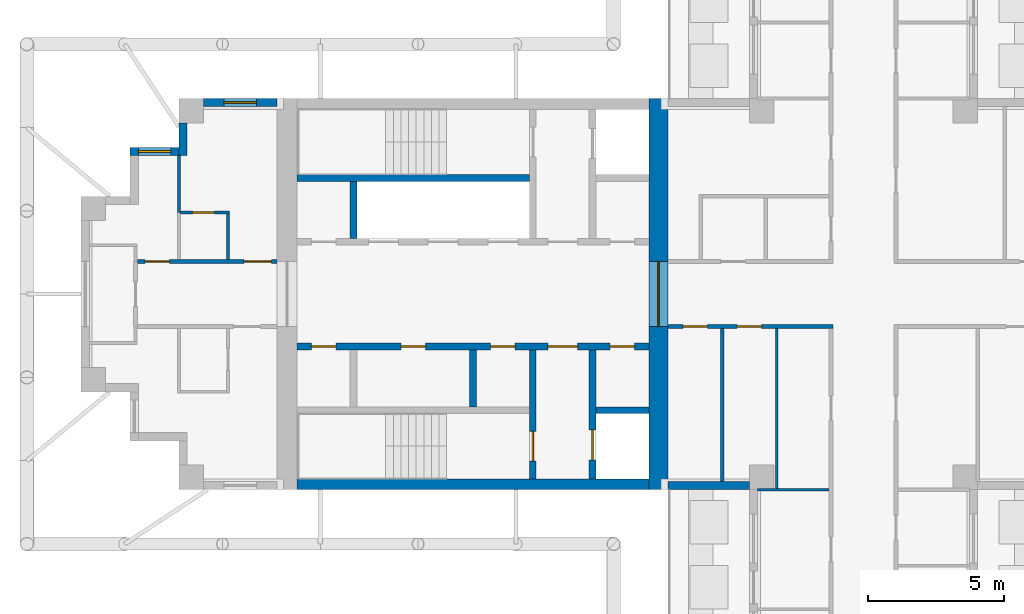
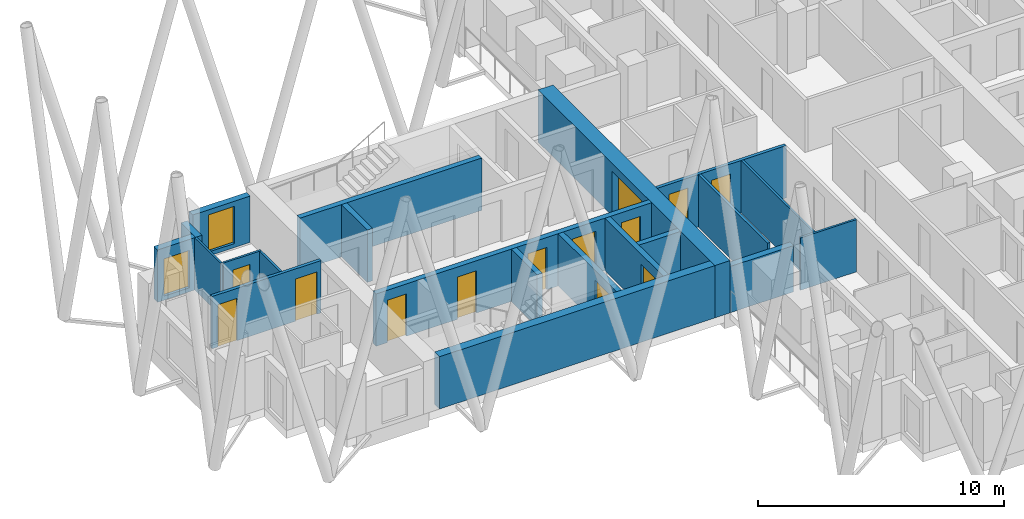
# One storey, part 4 of 11: 21 walls, 13 doors, 2 windows, 15 openings.
"""IFC4 building model written with IfcOpenShell, lengths in metres."""

from ifc_helpers import new_model, si_unit, direction, frame, frame_2d, origin, place, context, subcontext, project, spatial, rectangle, extrude, material, layer, layer_set, type_object, element, fill, save


model = new_model("IFC4")

# Units and contexts
model_context = context("Model", 3, precision=1e-05, world=origin(), true_north=direction((0.0, 1.0)))
body_context = subcontext(model_context, "Body", "Model", "MODEL_VIEW")
ifc_project = project(units=[si_unit("LENGTHUNIT", "METRE"), si_unit("AREAUNIT", "SQUARE_METRE"), si_unit("VOLUMEUNIT", "CUBIC_METRE"), si_unit("PLANEANGLEUNIT", "RADIAN"), si_unit("MASSUNIT", "GRAM", prefix="KILO")], contexts=[model_context])

# Site, building, storey
site_placement = place(None, origin())
site = spatial("IfcSite", under=ifc_project, at=site_placement, CompositionType="ELEMENT")
building_placement = place(site_placement, origin())
building = spatial("IfcBuilding", under=site, at=building_placement, Name="Fustian Cross Tower", CompositionType="ELEMENT")
storey_placement = place(building_placement, frame((0.0, 0.0, 234.89990234375)))
storey = spatial("IfcBuildingStorey", under=building, at=storey_placement, Name="L74", CompositionType="ELEMENT", Elevation=234.89990234375)

# Wall, openings, doors
ifc_material_1 = material(Name="Plasterboard on steel stud", Category="steel")
ifc_layer_1 = layer(ifc_material_1, 0.14990234375)
ifc_layer_set_1 = layer_set([ifc_layer_1], Name="Plasterboard on steel stud")
wall_type_1 = type_object("IfcWallType", Name="COMPARTMENT WALL 150 EI 60", PredefinedType="PARTITIONING", material=ifc_layer_set_1)
wall_1_placement = place(storey_placement, frame((-26.72509765625, 1.199951171875, 0.0), z_axis=(0.0, 0.0, 1.0), x_axis=(1.0, 0.0, 0.0)))
wall_1 = element("IfcWall", 1, at=wall_1_placement, inside=storey, type_object=wall_type_1, Name="Partition 7", PredefinedType="PARTITIONING", context=body_context, shape_type="SweptSolid", body=[
    extrude(rectangle(XDim=5.125, YDim=0.14990234375, at=frame_2d((2.5625, 0.0))), origin(), (0.0, 0.0, 1.0), 2.60009765625),
])
opening_1_placement = place(wall_1_placement, frame((3.925048828125, 0.0, 0.0)))
opening_1 = element("IfcOpeningElement", 2, at=opening_1_placement, cuts=wall_1, Name="Opening D33030", PredefinedType="OPENING", context=body_context, shape_type="SweptSolid", body=[
    extrude(rectangle(XDim=1.0, YDim=2.10009765625, at=frame_2d((0.5, 1.050048828125))), frame((0.0, 0.0849609375, 0.0), z_axis=(0.0, -1.0, 0.0), x_axis=(1.0, 0.0, 0.0)), (0.0, 0.0, 1.0), 0.169921875),
])
opening_2_placement = place(wall_1_placement, frame((0.27490234375, 0.0, 0.0)))
opening_2 = element("IfcOpeningElement", 3, at=opening_2_placement, cuts=wall_1, Name="Opening D33031", PredefinedType="OPENING", context=body_context, shape_type="SweptSolid", body=[
    extrude(rectangle(XDim=0.89990234375, YDim=2.10009765625, at=frame_2d((0.449951171875, 1.050048828125))), frame((0.0, 0.0849609375, 0.0), z_axis=(0.0, -1.0, 0.0), x_axis=(1.0, 0.0, 0.0)), (0.0, 0.0, 1.0), 0.169921875),
])
ifc_material_2 = material(Name="Timber fire door set", Category="wood")
door_type_1 = type_object("IfcDoorType", Name="FIRE SWING DOOR 1000 FD30S", OperationType="SINGLE_SWING_LEFT", PredefinedType="DOOR", material=ifc_material_2)
door_1_placement = place(opening_1_placement, origin())
door_1 = element("IfcDoor", 4, at=door_1_placement, inside=storey, type_object=door_type_1, Name="Door D33030", OperationType="SINGLE_SWING_RIGHT", OverallHeight=2.10009765625, OverallWidth=1.0, PredefinedType="DOOR", context=body_context, shape_type="SweptSolid", body=[
    extrude(rectangle(XDim=1.0, YDim=2.10009765625, at=frame_2d((0.5, 1.050048828125))), frame((0.0, 0.02490234375, 0.0), z_axis=(0.0, -1.0, 0.0), x_axis=(1.0, 0.0, 0.0)), (0.0, 0.0, 1.0), 0.050048828125),
])
fill(opening_1, door_1)
ifc_material_3 = material(Name="Timber fire door set", Category="wood")
door_type_2 = type_object("IfcDoorType", Name="FIRE SWING DOOR 900 FD30S", OperationType="SINGLE_SWING_LEFT", PredefinedType="DOOR", material=ifc_material_3)
door_2_placement = place(opening_2_placement, origin())
door_2 = element("IfcDoor", 5, at=door_2_placement, inside=storey, type_object=door_type_2, Name="Door D33031", OperationType="SINGLE_SWING_LEFT", OverallHeight=2.10009765625, OverallWidth=0.89990234375, PredefinedType="DOOR", context=body_context, shape_type="SweptSolid", body=[
    extrude(rectangle(XDim=0.89990234375, YDim=2.10009765625, at=frame_2d((0.449951171875, 1.050048828125))), frame((0.0, 0.02490234375, 0.0), z_axis=(0.0, -1.0, 0.0), x_axis=(1.0, 0.0, 0.0)), (0.0, 0.0, 1.0), 0.050048828125),
])
fill(opening_2, door_2)

wall_2_placement = place(storey_placement, frame((-7.199951171875, -1.199951171875, 0.0), z_axis=(0.0, 0.0, 1.0), x_axis=(1.0, 0.0, 0.0)))
wall_2 = element("IfcWall", 6, at=wall_2_placement, inside=storey, type_object=wall_type_1, Name="Partition 15", PredefinedType="PARTITIONING", context=body_context, shape_type="SweptSolid", body=[
    extrude(rectangle(XDim=6.074951171875, YDim=0.14990234375, at=frame_2d((3.03759765625, 0.0))), origin(), (0.0, 0.0, 1.0), 2.60009765625),
])
opening_3_placement = place(wall_2_placement, frame((2.550048828125, 0.0, 0.0)))
opening_3 = element("IfcOpeningElement", 7, at=opening_3_placement, cuts=wall_2, Name="Opening D33009", PredefinedType="OPENING", context=body_context, shape_type="SweptSolid", body=[
    extrude(rectangle(XDim=0.89990234375, YDim=2.10009765625, at=frame_2d((0.449951171875, 1.050048828125))), frame((0.0, 0.0849609375, 0.0), z_axis=(0.0, -1.0, 0.0), x_axis=(1.0, 0.0, 0.0)), (0.0, 0.0, 1.0), 0.169921875),
])
opening_4_placement = place(wall_2_placement, frame((0.550048828125, 0.0, 0.0)))
opening_4 = element("IfcOpeningElement", 8, at=opening_4_placement, cuts=wall_2, Name="Opening D33010", PredefinedType="OPENING", context=body_context, shape_type="SweptSolid", body=[
    extrude(rectangle(XDim=0.89990234375, YDim=2.10009765625, at=frame_2d((0.449951171875, 1.050048828125))), frame((0.0, 0.0849609375, 0.0), z_axis=(0.0, -1.0, 0.0), x_axis=(1.0, 0.0, 0.0)), (0.0, 0.0, 1.0), 0.169921875),
])
door_3_placement = place(opening_3_placement, frame((0.89990234375, 0.0, 0.0), z_axis=(0.0, 0.0, 1.0), x_axis=(-1.0, 0.0, 0.0)))
door_3 = element("IfcDoor", 9, at=door_3_placement, inside=storey, type_object=door_type_2, Name="Door D33009", OperationType="SINGLE_SWING_RIGHT", OverallHeight=2.10009765625, OverallWidth=0.89990234375, PredefinedType="DOOR", context=body_context, shape_type="SweptSolid", body=[
    extrude(rectangle(XDim=0.89990234375, YDim=2.10009765625, at=frame_2d((0.449951171875, 1.050048828125))), frame((0.0, 0.02490234375, 0.0), z_axis=(0.0, -1.0, 0.0), x_axis=(1.0, 0.0, 0.0)), (0.0, 0.0, 1.0), 0.050048828125),
])
fill(opening_3, door_3)
door_4_placement = place(opening_4_placement, frame((0.89990234375, 0.0, 0.0), z_axis=(0.0, 0.0, 1.0), x_axis=(-1.0, 0.0, 0.0)))
door_4 = element("IfcDoor", 10, at=door_4_placement, inside=storey, type_object=door_type_2, Name="Door D33010", OperationType="SINGLE_SWING_RIGHT", OverallHeight=2.10009765625, OverallWidth=0.89990234375, PredefinedType="DOOR", context=body_context, shape_type="SweptSolid", body=[
    extrude(rectangle(XDim=0.89990234375, YDim=2.10009765625, at=frame_2d((0.449951171875, 1.050048828125))), frame((0.0, 0.02490234375, 0.0), z_axis=(0.0, -1.0, 0.0), x_axis=(1.0, 0.0, 0.0)), (0.0, 0.0, 1.0), 0.050048828125),
])
fill(opening_4, door_4)

# Wall, opening, door
ifc_material_4 = material(Name="Concrete C50/60", Category="concrete")
ifc_layer_2 = layer(ifc_material_4, 0.699951171875)
ifc_layer_set_2 = layer_set([ifc_layer_2], Name="Concrete C50/60")
wall_type_2 = type_object("IfcWallType", Name="CORE END WALL 700 C50/60", PredefinedType="SHEAR", material=ifc_layer_set_2)
wall_3_placement = place(storey_placement, frame((-7.550048828125, -7.199951171875, 0.0), z_axis=(0.0, 0.0, 1.0), x_axis=(0.0, 1.0, 0.0)))
wall_3 = element("IfcWall", 11, at=wall_3_placement, inside=storey, type_object=wall_type_2, Name="Core end wall", PredefinedType="SHEAR", context=body_context, shape_type="SweptSolid", body=[
    extrude(rectangle(XDim=14.39990234375, YDim=0.699951171875, at=frame_2d((7.199951171875, 0.0))), origin(), (0.0, 0.0, 1.0), 2.60009765625),
])
opening_5_placement = place(wall_3_placement, frame((6.0, 0.0, 0.0)))
opening_5 = element("IfcOpeningElement", 12, at=opening_5_placement, cuts=wall_3, Name="Opening CD-28-29", PredefinedType="OPENING", context=body_context, shape_type="SweptSolid", body=[
    extrude(rectangle(XDim=2.39990234375, YDim=2.199951171875, at=frame_2d((1.199951171875, 1.10009765625))), frame((0.0, 0.35986328125, 0.0), z_axis=(0.0, -1.0, 0.0), x_axis=(1.0, 0.0, 0.0)), (0.0, 0.0, 1.0), 0.719970703125),
])
ifc_material_5 = material(Name="Steel", Category="steel")
door_type_3 = type_object("IfcDoorType", Name="FIRE DOOR FD30S DOUBLE 2400X2200", OperationType="DOUBLE_DOOR_DOUBLE_SWING", PredefinedType="DOOR", material=ifc_material_5)
door_5_placement = place(opening_5_placement, origin())
door_5 = element("IfcDoor", 13, at=door_5_placement, inside=storey, type_object=door_type_3, Name="Core door CD-28-29", OperationType="DOUBLE_DOOR_DOUBLE_SWING", OverallHeight=2.199951171875, OverallWidth=2.39990234375, PredefinedType="DOOR", context=body_context, shape_type="SweptSolid", body=[
    extrude(rectangle(XDim=2.39990234375, YDim=2.199951171875, at=frame_2d((1.199951171875, 1.10009765625))), frame((0.0, 0.02490234375, 0.0), z_axis=(0.0, -1.0, 0.0), x_axis=(1.0, 0.0, 0.0)), (0.0, 0.0, 1.0), 0.050048828125),
])
fill(opening_5, door_5)

# Wall
ifc_material_6 = material(Name="Concrete C50/60", Category="concrete")
ifc_layer_3 = layer(ifc_material_6, 0.39990234375)
ifc_layer_set_3 = layer_set([ifc_layer_3], Name="Concrete C50/60")
wall_type_3 = type_object("IfcWallType", Name="CORE FACADE WALL 400 C50/60", PredefinedType="SHEAR", material=ifc_layer_set_3)
wall_4_placement = place(storey_placement, frame((-7.89990234375, -7.0, 0.0), z_axis=(0.0, 0.0, 1.0), x_axis=(-1.0, 0.0, 0.0)))
element("IfcWall", 14, at=wall_4_placement, inside=storey, type_object=wall_type_3, Name="Core facade wall", PredefinedType="SHEAR", context=body_context, shape_type="SweptSolid", body=[
    extrude(rectangle(XDim=12.9501953125, YDim=0.39990234375, at=frame_2d((6.47509765625, 0.0))), origin(), (0.0, 0.0, 1.0), 2.60009765625),
])

# Wall, openings, doors
ifc_material_7 = material(Name="Concrete C50/60", Category="concrete")
ifc_layer_4 = layer(ifc_material_7, 0.25)
ifc_layer_set_4 = layer_set([ifc_layer_4], Name="Concrete C50/60")
wall_type_4 = type_object("IfcWallType", Name="CORE LOBBY WALL 250 C50/60", PredefinedType="SHEAR", material=ifc_layer_set_4)
wall_5_placement = place(storey_placement, frame((-7.89990234375, -1.925048828125, 0.0), z_axis=(0.0, 0.0, 1.0), x_axis=(-1.0, 0.0, 0.0)))
wall_5 = element("IfcWall", 15, at=wall_5_placement, inside=storey, type_object=wall_type_4, Name="Core lobby wall", PredefinedType="SHEAR", context=body_context, shape_type="SweptSolid", body=[
    extrude(rectangle(XDim=12.9501953125, YDim=0.25, at=frame_2d((6.47509765625, 0.0))), origin(), (0.0, 0.0, 1.0), 2.60009765625),
])
opening_6_placement = place(wall_5_placement, frame((0.52490234375, 0.0, 0.0)))
opening_6 = element("IfcOpeningElement", 16, at=opening_6_placement, cuts=wall_5, Name="Opening CD-28-26", PredefinedType="OPENING", context=body_context, shape_type="SweptSolid", body=[
    extrude(rectangle(XDim=0.89990234375, YDim=2.10009765625, at=frame_2d((0.449951171875, 1.050048828125))), frame((0.0, 0.135009765625, 0.0), z_axis=(0.0, -1.0, 0.0), x_axis=(1.0, 0.0, 0.0)), (0.0, 0.0, 1.0), 0.27001953125),
])
opening_7_placement = place(wall_5_placement, frame((2.625, 0.0, 0.0)))
opening_7 = element("IfcOpeningElement", 17, at=opening_7_placement, cuts=wall_5, Name="Opening CD-28-28", PredefinedType="OPENING", context=body_context, shape_type="SweptSolid", body=[
    extrude(rectangle(XDim=1.10009765625, YDim=2.10009765625, at=frame_2d((0.550048828125, 1.050048828125))), frame((0.0, 0.135009765625, 0.0), z_axis=(0.0, -1.0, 0.0), x_axis=(1.0, 0.0, 0.0)), (0.0, 0.0, 1.0), 0.27001953125),
])
opening_8_placement = place(wall_5_placement, frame((4.925048828125, 0.0, 0.0)))
opening_8 = element("IfcOpeningElement", 18, at=opening_8_placement, cuts=wall_5, Name="Opening CD-28-32", PredefinedType="OPENING", context=body_context, shape_type="SweptSolid", body=[
    extrude(rectangle(XDim=0.89990234375, YDim=2.10009765625, at=frame_2d((0.449951171875, 1.050048828125))), frame((0.0, 0.135009765625, 0.0), z_axis=(0.0, -1.0, 0.0), x_axis=(1.0, 0.0, 0.0)), (0.0, 0.0, 1.0), 0.27001953125),
])
opening_9_placement = place(wall_5_placement, frame((8.22509765625, 0.0, 0.0)))
opening_9 = element("IfcOpeningElement", 19, at=opening_9_placement, cuts=wall_5, Name="Opening CD-28-33", PredefinedType="OPENING", context=body_context, shape_type="SweptSolid", body=[
    extrude(rectangle(XDim=0.89990234375, YDim=2.10009765625, at=frame_2d((0.449951171875, 1.050048828125))), frame((0.0, 0.135009765625, 0.0), z_axis=(0.0, -1.0, 0.0), x_axis=(1.0, 0.0, 0.0)), (0.0, 0.0, 1.0), 0.27001953125),
])
opening_10_placement = place(wall_5_placement, frame((11.52490234375, 0.0, 0.0)))
opening_10 = element("IfcOpeningElement", 20, at=opening_10_placement, cuts=wall_5, Name="Opening CD-28-34", PredefinedType="OPENING", context=body_context, shape_type="SweptSolid", body=[
    extrude(rectangle(XDim=0.89990234375, YDim=2.10009765625, at=frame_2d((0.449951171875, 1.050048828125))), frame((0.0, 0.135009765625, 0.0), z_axis=(0.0, -1.0, 0.0), x_axis=(1.0, 0.0, 0.0)), (0.0, 0.0, 1.0), 0.27001953125),
])
ifc_material_8 = material(Name="Steel", Category="steel")
door_type_4 = type_object("IfcDoorType", Name="FIRE DOOR FD30S 1100X2100", OperationType="SINGLE_SWING_LEFT", PredefinedType="DOOR", material=ifc_material_8)
door_6_placement = place(opening_7_placement, frame((1.10009765625, 0.0, 0.0), z_axis=(0.0, 0.0, 1.0), x_axis=(-1.0, 0.0, 0.0)))
door_6 = element("IfcDoor", 21, at=door_6_placement, inside=storey, type_object=door_type_4, Name="Core door CD-28-28", OperationType="SINGLE_SWING_RIGHT", OverallHeight=2.10009765625, OverallWidth=1.10009765625, PredefinedType="DOOR", context=body_context, shape_type="SweptSolid", body=[
    extrude(rectangle(XDim=1.10009765625, YDim=2.10009765625, at=frame_2d((0.550048828125, 1.050048828125))), frame((0.0, 0.02490234375, 0.0), z_axis=(0.0, -1.0, 0.0), x_axis=(1.0, 0.0, 0.0)), (0.0, 0.0, 1.0), 0.050048828125),
])
fill(opening_7, door_6)
ifc_material_9 = material(Name="Steel", Category="steel")
door_type_5 = type_object("IfcDoorType", Name="FIRE DOOR FD30S 900X2100", OperationType="SINGLE_SWING_LEFT", PredefinedType="DOOR", material=ifc_material_9)
door_7_placement = place(opening_6_placement, origin())
door_7 = element("IfcDoor", 22, at=door_7_placement, inside=storey, type_object=door_type_5, Name="Core door CD-28-26", OperationType="SINGLE_SWING_LEFT", OverallHeight=2.10009765625, OverallWidth=0.89990234375, PredefinedType="DOOR", context=body_context, shape_type="SweptSolid", body=[
    extrude(rectangle(XDim=0.89990234375, YDim=2.10009765625, at=frame_2d((0.449951171875, 1.050048828125))), frame((0.0, 0.02490234375, 0.0), z_axis=(0.0, -1.0, 0.0), x_axis=(1.0, 0.0, 0.0)), (0.0, 0.0, 1.0), 0.050048828125),
])
fill(opening_6, door_7)
door_8_placement = place(opening_8_placement, origin())
door_8 = element("IfcDoor", 23, at=door_8_placement, inside=storey, type_object=door_type_5, Name="Core door CD-28-32", OperationType="SINGLE_SWING_LEFT", OverallHeight=2.10009765625, OverallWidth=0.89990234375, PredefinedType="DOOR", context=body_context, shape_type="SweptSolid", body=[
    extrude(rectangle(XDim=0.89990234375, YDim=2.10009765625, at=frame_2d((0.449951171875, 1.050048828125))), frame((0.0, 0.02490234375, 0.0), z_axis=(0.0, -1.0, 0.0), x_axis=(1.0, 0.0, 0.0)), (0.0, 0.0, 1.0), 0.050048828125),
])
fill(opening_8, door_8)
door_9_placement = place(opening_9_placement, origin())
door_9 = element("IfcDoor", 24, at=door_9_placement, inside=storey, type_object=door_type_5, Name="Core door CD-28-33", OperationType="SINGLE_SWING_RIGHT", OverallHeight=2.10009765625, OverallWidth=0.89990234375, PredefinedType="DOOR", context=body_context, shape_type="SweptSolid", body=[
    extrude(rectangle(XDim=0.89990234375, YDim=2.10009765625, at=frame_2d((0.449951171875, 1.050048828125))), frame((0.0, 0.02490234375, 0.0), z_axis=(0.0, -1.0, 0.0), x_axis=(1.0, 0.0, 0.0)), (0.0, 0.0, 1.0), 0.050048828125),
])
fill(opening_9, door_9)
door_10_placement = place(opening_10_placement, origin())
door_10 = element("IfcDoor", 25, at=door_10_placement, inside=storey, type_object=door_type_5, Name="Core door CD-28-34", OperationType="SINGLE_SWING_LEFT", OverallHeight=2.10009765625, OverallWidth=0.89990234375, PredefinedType="DOOR", context=body_context, shape_type="SweptSolid", body=[
    extrude(rectangle(XDim=0.89990234375, YDim=2.10009765625, at=frame_2d((0.449951171875, 1.050048828125))), frame((0.0, 0.02490234375, 0.0), z_axis=(0.0, -1.0, 0.0), x_axis=(1.0, 0.0, 0.0)), (0.0, 0.0, 1.0), 0.050048828125),
])
fill(opening_10, door_10)

# Walls
ifc_material_10 = material(Name="Concrete C50/60", Category="concrete")
ifc_layer_5 = layer(ifc_material_10, 0.25)
ifc_layer_set_5 = layer_set([ifc_layer_5], Name="Concrete C50/60")
wall_type_5 = type_object("IfcWallType", Name="CORE SHAFT WALL 250 C50/60", PredefinedType="SHEAR", material=ifc_layer_set_5)
wall_6_placement = place(storey_placement, frame((-12.300048828125, 4.27490234375, 0.0), z_axis=(0.0, 0.0, 1.0), x_axis=(-1.0, 0.0, 0.0)))
element("IfcWall", 26, at=wall_6_placement, inside=storey, type_object=wall_type_5, Name="Core shaft wall", PredefinedType="SHEAR", context=body_context, shape_type="SweptSolid", body=[
    extrude(rectangle(XDim=8.550048828125, YDim=0.25, at=frame_2d((4.27490234375, 0.0))), origin(), (0.0, 0.0, 1.0), 2.60009765625),
])
wall_7_placement = place(storey_placement, frame((-7.89990234375, -4.27490234375, 0.0), z_axis=(0.0, 0.0, 1.0), x_axis=(-1.0, 0.0, 0.0)))
element("IfcWall", 27, at=wall_7_placement, inside=storey, type_object=wall_type_5, Name="Core shaft wall", PredefinedType="SHEAR", context=body_context, shape_type="SweptSolid", body=[
    extrude(rectangle(XDim=1.9501953125, YDim=0.25, at=frame_2d((0.97509765625, 0.0))), origin(), (0.0, 0.0, 1.0), 2.60009765625),
])

# Wall, opening, door
wall_8_placement = place(storey_placement, frame((-9.97509765625, -2.050048828125, 0.0), z_axis=(0.0, 0.0, 1.0), x_axis=(0.0, -1.0, 0.0)))
wall_8 = element("IfcWall", 28, at=wall_8_placement, inside=storey, type_object=wall_type_5, Name="Core shaft wall", PredefinedType="SHEAR", context=body_context, shape_type="SweptSolid", body=[
    extrude(rectangle(XDim=4.75, YDim=0.25, at=frame_2d((2.375, 0.0))), origin(), (0.0, 0.0, 1.0), 2.60009765625),
])
opening_11_placement = place(wall_8_placement, frame((2.949951171875, 0.0, 0.0)))
opening_11 = element("IfcOpeningElement", 29, at=opening_11_placement, cuts=wall_8, Name="Opening LD", PredefinedType="OPENING", context=body_context, shape_type="SweptSolid", body=[
    extrude(rectangle(XDim=1.10009765625, YDim=2.10009765625, at=frame_2d((0.550048828125, 1.050048828125))), frame((0.0, 0.135009765625, 0.0), z_axis=(0.0, -1.0, 0.0), x_axis=(1.0, 0.0, 0.0)), (0.0, 0.0, 1.0), 0.27001953125),
])
ifc_material_11 = material(Name="Stainless steel", Category="steel")
door_type_6 = type_object("IfcDoorType", Name="LIFT LANDING DOOR 1100X2100", OperationType="SLIDING_TO_LEFT", PredefinedType="DOOR", material=ifc_material_11)
door_11_placement = place(opening_11_placement, origin())
door_11 = element("IfcDoor", 30, at=door_11_placement, inside=storey, type_object=door_type_6, Name="Landing door SV1W", OperationType="SLIDING_TO_LEFT", OverallHeight=2.10009765625, OverallWidth=1.10009765625, PredefinedType="DOOR", context=body_context, shape_type="SweptSolid", body=[
    extrude(rectangle(XDim=1.10009765625, YDim=2.10009765625, at=frame_2d((0.550048828125, 1.050048828125))), frame((0.0, 0.02490234375, 0.0), z_axis=(0.0, -1.0, 0.0), x_axis=(1.0, 0.0, 0.0)), (0.0, 0.0, 1.0), 0.050048828125),
])
fill(opening_11, door_11)

wall_9_placement = place(storey_placement, frame((-12.175048828125, -2.050048828125, 0.0), z_axis=(0.0, 0.0, 1.0), x_axis=(0.0, -1.0, 0.0)))
wall_9 = element("IfcWall", 31, at=wall_9_placement, inside=storey, type_object=wall_type_5, Name="Core shaft wall", PredefinedType="SHEAR", context=body_context, shape_type="SweptSolid", body=[
    extrude(rectangle(XDim=4.75, YDim=0.25, at=frame_2d((2.375, 0.0))), origin(), (0.0, 0.0, 1.0), 2.60009765625),
])
opening_12_placement = place(wall_9_placement, frame((3.0, 0.0, 0.0)))
opening_12 = element("IfcOpeningElement", 32, at=opening_12_placement, cuts=wall_9, Name="Opening CD-28-24", PredefinedType="OPENING", context=body_context, shape_type="SweptSolid", body=[
    extrude(rectangle(XDim=1.10009765625, YDim=2.10009765625, at=frame_2d((0.550048828125, 1.050048828125))), frame((0.0, 0.135009765625, 0.0), z_axis=(0.0, -1.0, 0.0), x_axis=(1.0, 0.0, 0.0)), (0.0, 0.0, 1.0), 0.27001953125),
])
ifc_material_12 = material(Name="Steel", Category="steel")
door_type_7 = type_object("IfcDoorType", Name="FIRE DOOR FD60S 1100X2100", OperationType="SINGLE_SWING_LEFT", PredefinedType="DOOR", material=ifc_material_12)
door_12_placement = place(opening_12_placement, frame((1.10009765625, 0.0, 0.0), z_axis=(0.0, 0.0, 1.0), x_axis=(-1.0, 0.0, 0.0)))
door_12 = element("IfcDoor", 33, at=door_12_placement, inside=storey, type_object=door_type_7, Name="Core door CD-28-24", OperationType="SINGLE_SWING_RIGHT", OverallHeight=2.10009765625, OverallWidth=1.10009765625, PredefinedType="DOOR", context=body_context, shape_type="SweptSolid", body=[
    extrude(rectangle(XDim=1.10009765625, YDim=2.10009765625, at=frame_2d((0.550048828125, 1.050048828125))), frame((0.0, 0.02490234375, 0.0), z_axis=(0.0, -1.0, 0.0), x_axis=(1.0, 0.0, 0.0)), (0.0, 0.0, 1.0), 0.050048828125),
])
fill(opening_12, door_12)

# Wall
ifc_material_13 = material(Name="Plasterboard on steel stud", Category="steel")
ifc_layer_6 = layer(ifc_material_13, 0.10009765625)
ifc_layer_set_6 = layer_set([ifc_layer_6], Name="Plasterboard on steel stud")
wall_type_6 = type_object("IfcWallType", Name="PARTITION 100 STUD", PredefinedType="PARTITIONING", material=ifc_layer_set_6)
wall_10_placement = place(storey_placement, frame((-25.199951171875, 3.0, 0.0), z_axis=(0.0, 0.0, 1.0), x_axis=(0.0, 1.0, 0.0)))
element("IfcWall", 34, at=wall_10_placement, inside=storey, type_object=wall_type_6, Name="Partition 11", PredefinedType="PARTITIONING", context=body_context, shape_type="SweptSolid", body=[
    extrude(rectangle(XDim=2.10009765625, YDim=0.10009765625, at=frame_2d((1.050048828125, 0.0))), origin(), (0.0, 0.0, 1.0), 2.60009765625),
])

# Wall, opening, door
wall_11_placement = place(storey_placement, frame((-25.137451171875, 3.0, 0.0), z_axis=(0.0, 0.0, 1.0), x_axis=(1.0, 0.0, 0.0)))
wall_11 = element("IfcWall", 35, at=wall_11_placement, inside=storey, type_object=wall_type_6, Name="Partition 12", PredefinedType="PARTITIONING", context=body_context, shape_type="SweptSolid", body=[
    extrude(rectangle(XDim=1.787353515625, YDim=0.10009765625, at=frame_2d((0.8935546875, 0.0))), origin(), (0.0, 0.0, 1.0), 2.60009765625),
])
opening_13_placement = place(wall_11_placement, frame((0.4375, 0.0, 0.0)))
opening_13 = element("IfcOpeningElement", 36, at=opening_13_placement, cuts=wall_11, Name="Opening D33029", PredefinedType="OPENING", context=body_context, shape_type="SweptSolid", body=[
    extrude(rectangle(XDim=0.800048828125, YDim=2.10009765625, at=frame_2d((0.39990234375, 1.050048828125))), frame((0.0, 0.06005859375, 0.0), z_axis=(0.0, -1.0, 0.0), x_axis=(1.0, 0.0, 0.0)), (0.0, 0.0, 1.0), 0.1201171875),
])
ifc_material_14 = material(Name="Painted timber", Category="wood")
door_type_8 = type_object("IfcDoorType", Name="SWING DOOR 800", OperationType="SINGLE_SWING_LEFT", PredefinedType="DOOR", material=ifc_material_14)
door_13_placement = place(opening_13_placement, frame((0.800048828125, 0.0, 0.0), z_axis=(0.0, 0.0, 1.0), x_axis=(-1.0, 0.0, 0.0)))
door_13 = element("IfcDoor", 37, at=door_13_placement, inside=storey, type_object=door_type_8, Name="Door D33029", OperationType="SINGLE_SWING_LEFT", OverallHeight=2.10009765625, OverallWidth=0.800048828125, PredefinedType="DOOR", context=body_context, shape_type="SweptSolid", body=[
    extrude(rectangle(XDim=0.800048828125, YDim=2.10009765625, at=frame_2d((0.39990234375, 1.050048828125))), frame((0.0, 0.02490234375, 0.0), z_axis=(0.0, -1.0, 0.0), x_axis=(1.0, 0.0, 0.0)), (0.0, 0.0, 1.0), 0.050048828125),
])
fill(opening_13, door_13)

# Walls
wall_12_placement = place(storey_placement, frame((-23.39990234375, 1.27490234375, 0.0), z_axis=(0.0, 0.0, 1.0), x_axis=(0.0, 1.0, 0.0)))
element("IfcWall", 38, at=wall_12_placement, inside=storey, type_object=wall_type_6, Name="Partition 14", PredefinedType="PARTITIONING", context=body_context, shape_type="SweptSolid", body=[
    extrude(rectangle(XDim=1.675048828125, YDim=0.10009765625, at=frame_2d((0.83740234375, 0.0))), origin(), (0.0, 0.0, 1.0), 2.60009765625),
])
wall_13_placement = place(storey_placement, frame((-3.89990234375, -7.199951171875, 0.0), z_axis=(0.0, 0.0, 1.0), x_axis=(1.0, 0.0, 0.0)))
element("IfcWall", 39, at=wall_13_placement, inside=storey, type_object=wall_type_6, Name="Partition 22", PredefinedType="PARTITIONING", context=body_context, shape_type="SweptSolid", body=[
    extrude(rectangle(XDim=2.625, YDim=0.10009765625, at=frame_2d((1.3125, 0.0))), origin(), (0.0, 0.0, 1.0), 2.60009765625),
])
wall_14_placement = place(storey_placement, frame((-3.199951171875, -7.14990234375, 0.0), z_axis=(0.0, 0.0, 1.0), x_axis=(0.0, 1.0, 0.0)))
element("IfcWall", 40, at=wall_14_placement, inside=storey, type_object=wall_type_6, Name="Partition 33", PredefinedType="PARTITIONING", context=body_context, shape_type="SweptSolid", body=[
    extrude(rectangle(XDim=5.875, YDim=0.10009765625, at=frame_2d((2.9375, 0.0))), origin(), (0.0, 0.0, 1.0), 2.60009765625),
])
ifc_material_15 = material(Name="Concrete C40/50", Category="concrete")
ifc_layer_7 = layer(ifc_material_15, 0.25)
ifc_layer_set_7 = layer_set([ifc_layer_7], Name="Concrete C40/50")
wall_type_7 = type_object("IfcWallType", Name="SHAFT PARTITION WALL 250 C40/50", PredefinedType="PARTITIONING", material=ifc_layer_set_7)
for number, where, z_axis, x_axis, name in (
    (41, (-18.77490234375, 2.050048828125, 0.0), (0.0, 0.0, 1.0), (0.0, 1.0, 0.0), "Core shaft wall"),
    (42, (-14.375, -2.050048828125, 0.0), (0.0, 0.0, 1.0), (0.0, -1.0, 0.0), "Core shaft wall"),
):
    element("IfcWall", number, at=place(storey_placement, frame(where, z_axis=z_axis, x_axis=x_axis)), inside=storey, type_object=wall_type_7, Name=name, PredefinedType="PARTITIONING", context=body_context, shape_type="SweptSolid", body=[
        extrude(rectangle(XDim=2.099853515625, YDim=0.25, at=frame_2d((1.0498046875, 0.0))), origin(), (0.0, 0.0, 1.0), 2.60009765625),
    ])
ifc_material_16 = material(Name="Plasterboard on steel stud", Category="steel")
ifc_layer_8 = layer(ifc_material_16, 0.125)
ifc_layer_set_8 = layer_set([ifc_layer_8], Name="Plasterboard on steel stud")
wall_type_8 = type_object("IfcWallType", Name="WET WALL 125 STUD", PredefinedType="PARTITIONING", material=ifc_layer_set_8)
wall_15_placement = place(storey_placement, frame((-5.199951171875, -6.89990234375, 0.0), z_axis=(0.0, 0.0, 1.0), x_axis=(0.0, 1.0, 0.0)))
element("IfcWall", 43, at=wall_15_placement, inside=storey, type_object=wall_type_8, Name="Partition 19", PredefinedType="PARTITIONING", context=body_context, shape_type="SweptSolid", body=[
    extrude(rectangle(XDim=5.625, YDim=0.125, at=frame_2d((2.8125, 0.0))), origin(), (0.0, 0.0, 1.0), 2.60009765625),
])

# Wall, opening, window
ifc_material_17 = material(Name="Dark aluminium cladding on insulated backing wall", Category="aluminium")
ifc_layer_9 = layer(ifc_material_17, 0.300048828125)
ifc_layer_set_9 = layer_set([ifc_layer_9], Name="Dark aluminium cladding on insulated backing wall")
wall_type_9 = type_object("IfcWallType", Name="XW1 EXTERNAL WALL 300", PredefinedType="SOLIDWALL", material=ifc_layer_set_9)
wall_16_placement = place(storey_placement, frame((-21.60009765625, 7.050048828125, 0.0), z_axis=(0.0, 0.0, 1.0), x_axis=(-1.0, 0.0, 0.0)))
wall_16 = element("IfcWall", 44, at=wall_16_placement, inside=storey, type_object=wall_type_9, Name="External wall", PredefinedType="SOLIDWALL", context=body_context, shape_type="SweptSolid", body=[
    extrude(rectangle(XDim=2.699951171875, YDim=0.300048828125, at=frame_2d((1.35009765625, 0.0))), origin(), (0.0, 0.0, 1.0), 2.300048828125),
])
opening_14_placement = place(wall_16_placement, frame((0.75, 0.0, 0.199951171875)))
opening_14 = element("IfcOpeningElement", 45, at=opening_14_placement, cuts=wall_16, Name="Opening WN3", PredefinedType="OPENING", context=body_context, shape_type="SweptSolid", body=[
    extrude(rectangle(XDim=1.199951171875, YDim=1.85009765625, at=frame_2d((0.60009765625, 0.925048828125))), frame((0.0, 0.159912109375, 0.0), z_axis=(0.0, -1.0, 0.0), x_axis=(1.0, 0.0, 0.0)), (0.0, 0.0, 1.0), 0.320068359375),
])
ifc_material_18 = material(Name="Dark anodised aluminium and double glazing", Category="aluminium")
window_type = type_object("IfcWindowType", Name="WN3 WINDOW 1200X1850", PartitioningType="SINGLE_PANEL", PredefinedType="WINDOW", material=ifc_material_18)
window_1_placement = place(opening_14_placement, origin())
window_1 = element("IfcWindow", 46, at=window_1_placement, inside=storey, type_object=window_type, Name="Window", OverallHeight=1.85009765625, OverallWidth=1.199951171875, PartitioningType="SINGLE_PANEL", PredefinedType="WINDOW", context=body_context, shape_type="SweptSolid", body=[
    extrude(rectangle(XDim=1.199951171875, YDim=1.85009765625, at=frame_2d((0.60009765625, 0.925048828125))), frame((0.0, 0.030029296875, 0.0), z_axis=(0.0, -1.0, 0.0), x_axis=(1.0, 0.0, 0.0)), (0.0, 0.0, 1.0), 0.06005859375),
])
fill(opening_14, window_1)

# Wall
wall_17_placement = place(storey_placement, frame((-25.050048828125, 6.300048828125, 0.0), z_axis=(0.0, 0.0, 1.0), x_axis=(0.0, -1.0, 0.0)))
element("IfcWall", 47, at=wall_17_placement, inside=storey, type_object=wall_type_9, Name="External wall", PredefinedType="SOLIDWALL", context=body_context, shape_type="SweptSolid", body=[
    extrude(rectangle(XDim=1.199951171875, YDim=0.300048828125, at=frame_2d((0.60009765625, 0.0))), origin(), (0.0, 0.0, 1.0), 2.60009765625),
])

# Wall, opening, window
wall_18_placement = place(storey_placement, frame((-25.199951171875, 5.25, 0.0), z_axis=(0.0, 0.0, 1.0), x_axis=(-1.0, 0.0, 0.0)))
wall_18 = element("IfcWall", 48, at=wall_18_placement, inside=storey, type_object=wall_type_9, Name="External wall", PredefinedType="SOLIDWALL", context=body_context, shape_type="SweptSolid", body=[
    extrude(rectangle(XDim=1.800048828125, YDim=0.300048828125, at=frame_2d((0.89990234375, 0.0))), origin(), (0.0, 0.0, 1.0), 2.60009765625),
])
opening_15_placement = place(wall_18_placement, frame((0.300048828125, 0.0, 0.199951171875)))
opening_15 = element("IfcOpeningElement", 49, at=opening_15_placement, cuts=wall_18, Name="Opening WN3", PredefinedType="OPENING", context=body_context, shape_type="SweptSolid", body=[
    extrude(rectangle(XDim=1.199951171875, YDim=1.85009765625, at=frame_2d((0.60009765625, 0.925048828125))), frame((0.0, 0.159912109375, 0.0), z_axis=(0.0, -1.0, 0.0), x_axis=(1.0, 0.0, 0.0)), (0.0, 0.0, 1.0), 0.320068359375),
])
window_2_placement = place(opening_15_placement, origin())
window_2 = element("IfcWindow", 50, at=window_2_placement, inside=storey, type_object=window_type, Name="Window", OverallHeight=1.85009765625, OverallWidth=1.199951171875, PartitioningType="SINGLE_PANEL", PredefinedType="WINDOW", context=body_context, shape_type="SweptSolid", body=[
    extrude(rectangle(XDim=1.199951171875, YDim=1.85009765625, at=frame_2d((0.60009765625, 0.925048828125))), frame((0.0, 0.030029296875, 0.0), z_axis=(0.0, -1.0, 0.0), x_axis=(1.0, 0.0, 0.0)), (0.0, 0.0, 1.0), 0.06005859375),
])
fill(opening_15, window_2)

# Wall
wall_19_placement = place(storey_placement, frame((-7.199951171875, -7.050048828125, 0.0), z_axis=(0.0, 0.0, 1.0), x_axis=(1.0, 0.0, 0.0)))
element("IfcWall", 51, at=wall_19_placement, inside=storey, type_object=wall_type_9, Name="External wall", PredefinedType="SOLIDWALL", context=body_context, shape_type="SweptSolid", body=[
    extrude(rectangle(XDim=3.0, YDim=0.300048828125, at=frame_2d((1.5, 0.0))), origin(), (0.0, 0.0, 1.0), 2.300048828125),
])

save(model, "model.ifc")
